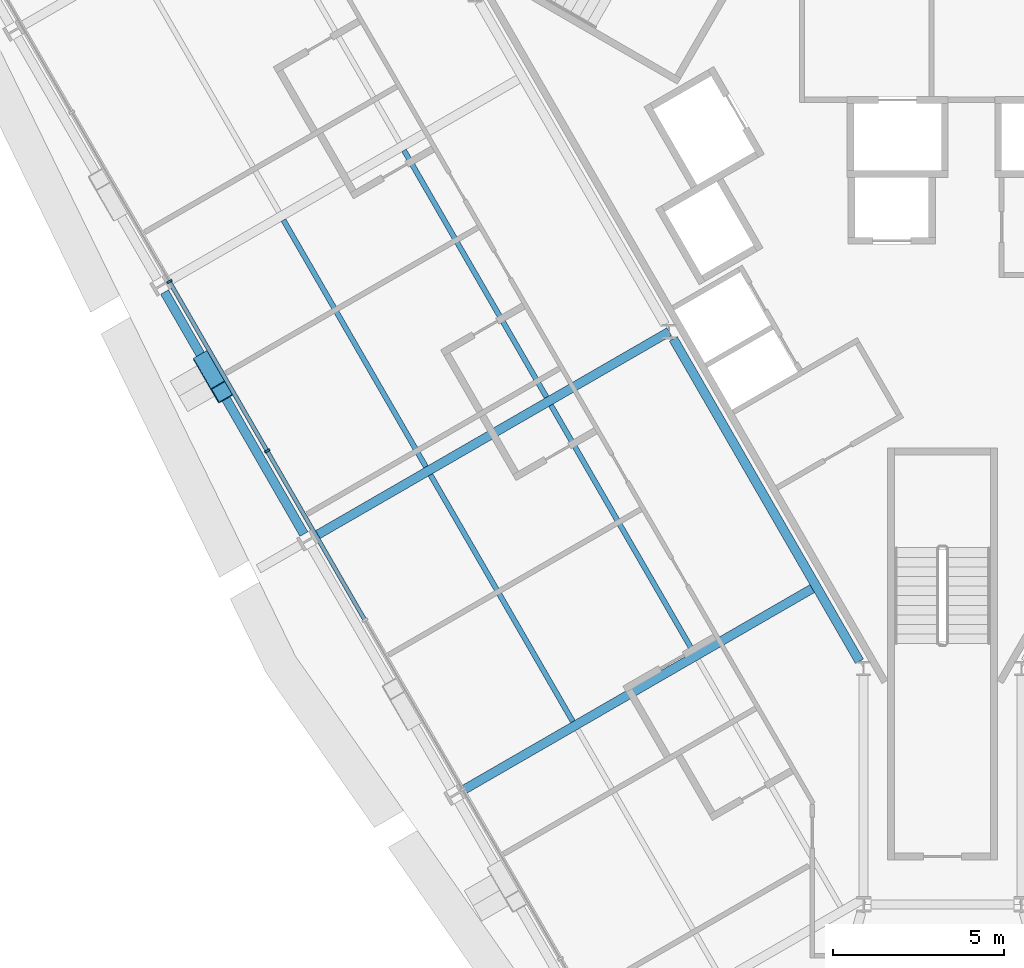
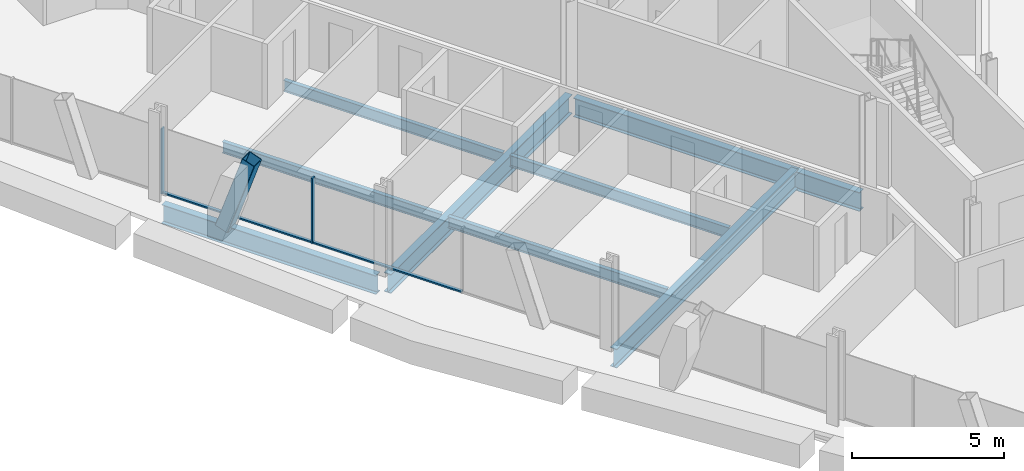
# One storey, part 4 of 20: 8 beams, 5 members, 1 element without a shape of its own.
"""IFC4 building model written with IfcOpenShell, lengths in metres."""

from ifc_helpers import new_model, si_unit, direction, frame, origin, origin_2d, place, context, subcontext, project, spatial, rectangle, hollow_rectangle, i_section, extrude, material, material_profile, profile_set, type_object, element, aggregate, save


model = new_model("IFC4")

# Units and contexts
model_context = context("Model", 3, precision=1e-05, world=origin(), true_north=direction((0.0, 1.0)))
body_context = subcontext(model_context, "Body", "Model", "MODEL_VIEW")
ifc_project = project(units=[si_unit("LENGTHUNIT", "METRE"), si_unit("AREAUNIT", "SQUARE_METRE"), si_unit("VOLUMEUNIT", "CUBIC_METRE"), si_unit("PLANEANGLEUNIT", "RADIAN"), si_unit("MASSUNIT", "GRAM", prefix="KILO")], contexts=[model_context])

# Site, building, storey
site_placement = place(None, origin())
site = spatial("IfcSite", under=ifc_project, at=site_placement, CompositionType="ELEMENT")
building_placement = place(site_placement, origin())
building = spatial("IfcBuilding", under=site, at=building_placement, Name="Verrane Prism Tower", CompositionType="ELEMENT")
storey_placement = place(building_placement, frame((0.0, 0.0, 69.199951171875)))
storey = spatial("IfcBuildingStorey", under=building, at=storey_placement, Name="L15", CompositionType="ELEMENT", Elevation=69.199951171875)

# Beam
ifc_material_1 = material(Name="Steel A992", Category="steel")
ifc_material_profile_1 = material_profile(ifc_material_1, i_section(OverallWidth=0.2666015625, OverallDepth=0.7568359375, WebThickness=0.013916015625, FlangeThickness=0.019287109375, FilletRadius=0.0166015625, at=origin_2d()), Name="W30x108")
ifc_profile_set_1 = profile_set([ifc_material_profile_1], Name="Steel A992")
beam_type_1 = type_object("IfcBeamType", Name="Core ring girder W30x108", PredefinedType="BEAM", material=ifc_profile_set_1)
beam_1_placement = place(storey_placement, frame((-7.849609375, -4.808349609375, -0.62841796875), z_axis=(0.500013103396, -0.866017838403, 0.0), x_axis=(0.866017838403, 0.500013103396, 0.0)))
element("IfcBeam", 1, at=beam_1_placement, inside=storey, type_object=beam_type_1, Name="Core ring girder L15", PredefinedType="BEAM", context=body_context, shape_type="SweptSolid", body=[
    extrude(i_section(OverallWidth=0.2666015625, OverallDepth=0.7568359375, WebThickness=0.013916015625, FlangeThickness=0.019287109375, FilletRadius=0.0166015625, at=origin_2d()), origin(), (0.0, 0.0, 1.0), 10.858154296875),
])

# Member
ifc_material_2 = material(Name="Steel A1085 Grade A", Category="steel")
ifc_material_profile_2 = material_profile(ifc_material_2, hollow_rectangle(XDim=0.508056640625, YDim=0.508056640625, WallThickness=0.025390625, InnerFilletRadius=0.0126953125, OuterFilletRadius=0.0380859375, at=origin_2d()), Name="HSS20x20x1")
ifc_profile_set_2 = profile_set([ifc_material_profile_2], Name="Steel A1085 Grade A")
member_type_1 = type_object("IfcMemberType", Name="Facade brace HSS20x20x1", PredefinedType="BRACE", material=ifc_profile_set_2)
member_1_placement = place(storey_placement, frame((-21.516845703125, -5.47021484375, -0.242431640625), z_axis=(0.160744868274, -0.279075220636, 0.946719656789), x_axis=(0.866534908111, 0.499116472403, 0.0)))
element("IfcMember", 2, at=member_1_placement, inside=storey, type_object=member_type_1, Name="Facade brace SW2 L15", PredefinedType="BRACE", context=body_context, shape_type="SweptSolid", body=[
    extrude(hollow_rectangle(XDim=0.508056640625, YDim=0.508056640625, WallThickness=0.025390625, InnerFilletRadius=0.0126953125, OuterFilletRadius=0.0380859375, at=origin_2d()), origin(), (0.0, 0.0, 1.0), 3.17724609375),
])

# Beams
ifc_material_3 = material(Name="Steel A992", Category="steel")
ifc_material_profile_3 = material_profile(ifc_material_3, i_section(OverallWidth=0.15234375, OverallDepth=0.449462890625, WebThickness=0.007568359375, FlangeThickness=0.0107421875, FilletRadius=0.01025390625, at=origin_2d()), Name="W18x35")
ifc_profile_set_3 = profile_set([ifc_material_profile_3], Name="Steel A992")
beam_type_2 = type_object("IfcBeamType", Name="Floor beam W18x35", PredefinedType="BEAM", material=ifc_profile_set_3)
beam_2_placement = place(storey_placement, frame((-11.545166015625, -6.51171875, -0.384765625), z_axis=(-0.499988705844, 0.86603192437, 0.0), x_axis=(-0.86603192437, -0.499988705844, 0.0)))
element("IfcBeam", 3, at=beam_2_placement, inside=storey, type_object=beam_type_2, Name="Floor beam L15", PredefinedType="BEAM", context=body_context, shape_type="SweptSolid", body=[
    extrude(i_section(OverallWidth=0.15234375, OverallDepth=0.449462890625, WebThickness=0.007568359375, FlangeThickness=0.0107421875, FilletRadius=0.01025390625, at=origin_2d()), origin(), (0.0, 0.0, 1.0), 8.307861328125),
])
beam_3_placement = place(storey_placement, frame((-15.06103515625, -8.54296875, -0.384765625), z_axis=(-0.500001430823, 0.866024577697, 0.0), x_axis=(-0.866024577697, -0.500001430823, 0.0)))
element("IfcBeam", 4, at=beam_3_placement, inside=storey, type_object=beam_type_2, Name="Floor beam L15", PredefinedType="BEAM", context=body_context, shape_type="SweptSolid", body=[
    extrude(i_section(OverallWidth=0.15234375, OverallDepth=0.449462890625, WebThickness=0.007568359375, FlangeThickness=0.0107421875, FilletRadius=0.01025390625, at=origin_2d()), origin(), (0.0, 0.0, 1.0), 8.3076171875),
])
beam_4_placement = place(storey_placement, frame((-7.26171875, -13.94189453125, -0.384765625), z_axis=(-0.500000517071, 0.866025105253, 0.0), x_axis=(-0.866025105253, -0.500000517071, 0.0)))
element("IfcBeam", 5, at=beam_4_placement, inside=storey, type_object=beam_type_2, Name="Floor beam L15", PredefinedType="BEAM", context=body_context, shape_type="SweptSolid", body=[
    extrude(i_section(OverallWidth=0.15234375, OverallDepth=0.449462890625, WebThickness=0.007568359375, FlangeThickness=0.0107421875, FilletRadius=0.01025390625, at=origin_2d()), origin(), (0.0, 0.0, 1.0), 8.3095703125),
])
beam_5_placement = place(storey_placement, frame((-10.7763671875, -15.969482421875, -0.384765625), z_axis=(-0.499995524547, 0.866027987673, 0.0), x_axis=(-0.866027987673, -0.499995524547, 0.0)))
element("IfcBeam", 6, at=beam_5_placement, inside=storey, type_object=beam_type_2, Name="Floor beam L15", PredefinedType="BEAM", context=body_context, shape_type="SweptSolid", body=[
    extrude(i_section(OverallWidth=0.15234375, OverallDepth=0.449462890625, WebThickness=0.007568359375, FlangeThickness=0.0107421875, FilletRadius=0.01025390625, at=origin_2d()), origin(), (0.0, 0.0, 1.0), 8.306640625),
])

# Curtain wall, members
ifc_material_4 = material(Name="Aluminium framed insulated glazing", Category="aluminium")
curtain_wall_type = type_object("IfcCurtainWallType", Name="Curtain wall CW-B 5600 module", PredefinedType="NOTDEFINED", material=ifc_material_4)
curtain_wall_placement = place(storey_placement, origin())
curtain_wall = element("IfcCurtainWall", 7, at=curtain_wall_placement, inside=storey, type_object=curtain_wall_type, Name="Glazed curtain wall south-west face L15", PredefinedType="NOTDEFINED")
ifc_material_5 = material(Name="Aluminium alloy 6063-T6", Category="aluminium")
ifc_material_profile_4 = material_profile(ifc_material_5, rectangle(XDim=0.159912109375, YDim=0.06005859375, at=origin_2d()), Name="Mullion 60x160 aluminium")
ifc_profile_set_4 = profile_set([ifc_material_profile_4], Name="Aluminium alloy 6063-T6")
member_type_2 = type_object("IfcMemberType", Name="Mullion 60x160 aluminium", PredefinedType="MULLION", material=ifc_profile_set_4)
member_2_placement = place(storey_placement, frame((-22.5400390625, -3.141357421875, 0.0), z_axis=(0.0, 0.0, 1.0), x_axis=(0.866025283147, 0.50000020895, 0.0)))
member_2 = element("IfcMember", 8, at=member_2_placement, type_object=member_type_2, Name="CW14.4 mullion 4", PredefinedType="MULLION", context=body_context, shape_type="SweptSolid", body=[
    extrude(rectangle(XDim=0.159912109375, YDim=0.06005859375, at=origin_2d()), origin(), (0.0, 0.0, 1.0), 2.613037109375),
])
member_3_placement = place(storey_placement, frame((-19.690185546875, -8.077392578125, 0.0), z_axis=(0.0, 0.0, 1.0), x_axis=(0.866025283147, 0.50000020895, 0.0)))
member_3 = element("IfcMember", 9, at=member_3_placement, type_object=member_type_2, Name="CW14.4 mullion 5", PredefinedType="MULLION", context=body_context, shape_type="SweptSolid", body=[
    extrude(rectangle(XDim=0.159912109375, YDim=0.06005859375, at=origin_2d()), origin(), (0.0, 0.0, 1.0), 2.613037109375),
])

# Beams
ifc_material_6 = material(Name="Steel A992", Category="steel")
ifc_material_profile_5 = material_profile(ifc_material_6, i_section(OverallWidth=0.2666015625, OverallDepth=0.76708984375, WebThickness=0.014892578125, FlangeThickness=0.023681640625, FilletRadius=0.0166015625, at=origin_2d()), Name="W30x124")
ifc_profile_set_5 = profile_set([ifc_material_profile_5], Name="Steel A992")
beam_type_3 = type_object("IfcBeamType", Name="Radial girder W30x124", PredefinedType="BEAM", material=ifc_profile_set_5)
beam_6_placement = place(storey_placement, frame((-18.29443359375, -10.5654296875, -0.603515625), z_axis=(0.866027038082, 0.499997169302, 0.0), x_axis=(-0.499997169302, 0.866027038082, 0.0)))
element("IfcBeam", 10, at=beam_6_placement, inside=storey, type_object=beam_type_3, Name="Radial girder L15", PredefinedType="BEAM", context=body_context, shape_type="SweptSolid", body=[
    extrude(i_section(OverallWidth=0.2666015625, OverallDepth=0.76708984375, WebThickness=0.014892578125, FlangeThickness=0.023681640625, FilletRadius=0.0166015625, at=origin_2d()), origin(), (0.0, 0.0, 1.0), 11.923828125),
])
beam_7_placement = place(storey_placement, frame((-14.00439453125, -17.985595703125, -0.603515625), z_axis=(0.866014689455, 0.500018557304, 0.0), x_axis=(-0.500018557304, 0.866014689455, 0.0)))
element("IfcBeam", 11, at=beam_7_placement, inside=storey, type_object=beam_type_3, Name="Radial girder L15", PredefinedType="BEAM", context=body_context, shape_type="SweptSolid", body=[
    extrude(i_section(OverallWidth=0.2666015625, OverallDepth=0.76708984375, WebThickness=0.014892578125, FlangeThickness=0.023681640625, FilletRadius=0.0166015625, at=origin_2d()), origin(), (0.0, 0.0, 1.0), 11.9189453125),
])
ifc_material_7 = material(Name="Steel A992", Category="steel")
ifc_material_profile_6 = material_profile(ifc_material_7, i_section(OverallWidth=0.2666015625, OverallDepth=0.7568359375, WebThickness=0.013916015625, FlangeThickness=0.019287109375, FilletRadius=0.0166015625, at=origin_2d()), Name="W30x108")
ifc_profile_set_6 = profile_set([ifc_material_profile_6], Name="Steel A992")
beam_type_4 = type_object("IfcBeamType", Name="Spandrel beam W30x108", PredefinedType="SPANDREL", material=ifc_profile_set_6)
beam_8_placement = place(storey_placement, frame((-22.68212890625, -3.447021484375, -0.538330078125), z_axis=(0.499122745432, -0.866531294872, 0.0), x_axis=(0.866531294872, 0.499122745432, 0.0)))
element("IfcBeam", 12, at=beam_8_placement, inside=storey, type_object=beam_type_4, Name="Spandrel beam L15", PredefinedType="SPANDREL", context=body_context, shape_type="SweptSolid", body=[
    extrude(i_section(OverallWidth=0.2666015625, OverallDepth=0.7568359375, WebThickness=0.013916015625, FlangeThickness=0.019287109375, FilletRadius=0.0166015625, at=origin_2d()), origin(), (0.0, 0.0, 1.0), 8.142822265625),
])

# Member
ifc_material_8 = material(Name="Aluminium alloy 6063-T6", Category="aluminium")
ifc_material_profile_7 = material_profile(ifc_material_8, rectangle(XDim=0.1201171875, YDim=0.06005859375, at=origin_2d()), Name="Transom 60x120 aluminium")
ifc_profile_set_7 = profile_set([ifc_material_profile_7], Name="Aluminium alloy 6063-T6")
member_type_3 = type_object("IfcMemberType", Name="Transom 60x120 aluminium", PredefinedType="USERDEFINED", material=ifc_profile_set_7)
member_4_placement = place(storey_placement, frame((-22.525146484375, -3.167236328125, 0.030029296875), z_axis=(0.499984757355, -0.866034203951, 0.0), x_axis=(0.866034203951, 0.499984757355, 0.0)))
member_4 = element("IfcMember", 13, at=member_4_placement, type_object=member_type_3, Name="CW14.4 transom 4", ObjectType="TRANSOM", PredefinedType="USERDEFINED", context=body_context, shape_type="SweptSolid", body=[
    extrude(rectangle(XDim=0.1201171875, YDim=0.06005859375, at=origin_2d()), origin(), (0.0, 0.0, 1.0), 5.639892578125),
])

member_5_placement = place(storey_placement, frame((-19.67529296875, -8.103515625, 0.030029296875), z_axis=(0.500003502126, -0.866023381821, 0.0), x_axis=(0.866023381821, 0.500003502126, 0.0)))
member_5 = element("IfcMember", 14, at=member_5_placement, type_object=member_type_3, Name="CW14.4 transom 5", ObjectType="TRANSOM", PredefinedType="USERDEFINED", context=body_context, shape_type="SweptSolid", body=[
    extrude(rectangle(XDim=0.1201171875, YDim=0.06005859375, at=origin_2d()), origin(), (0.0, 0.0, 1.0), 5.6396484375),
])

aggregate(curtain_wall, [member_2, member_3, member_4, member_5])

save(model, "model.ifc")
